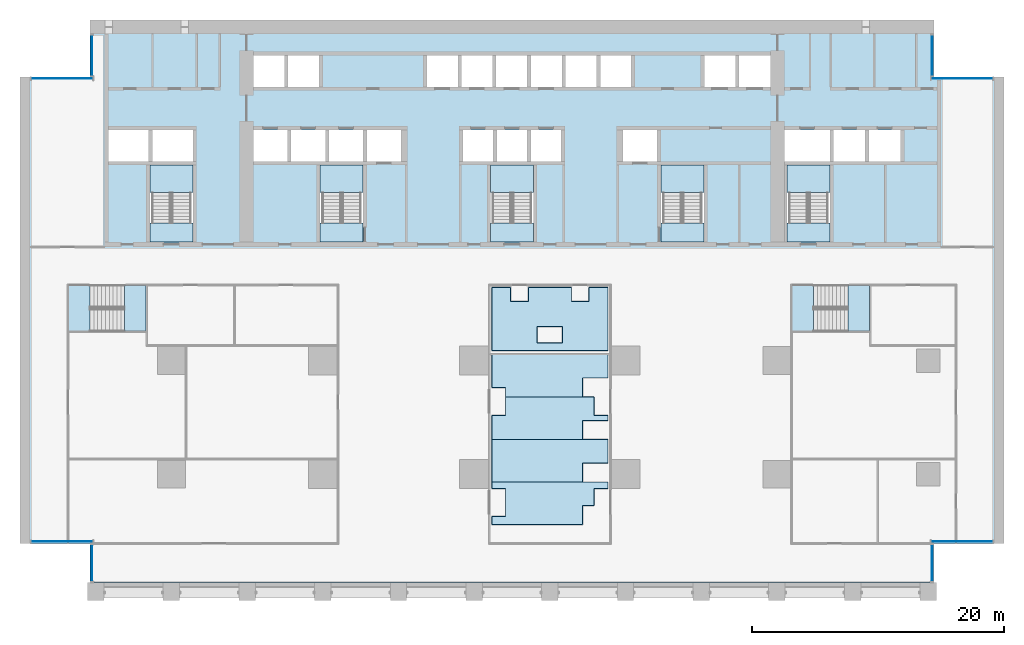
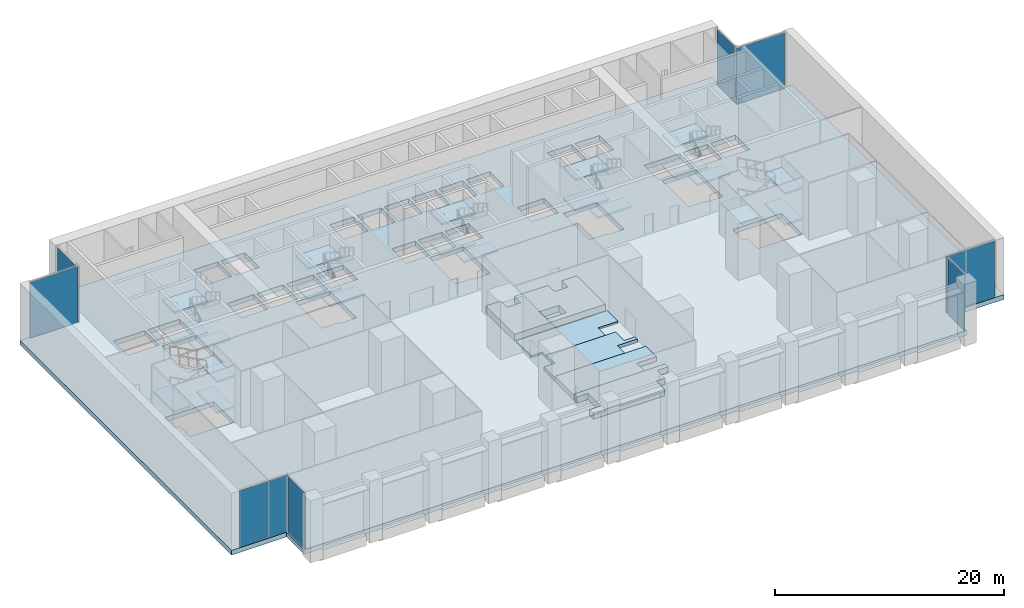
# One storey, part 6 of 18: 27 slabs, 8 plates, 15 elements without a shape of their own.
"""IFC4 building model written with IfcOpenShell, lengths in metres."""

import ifcopenshell
import ifcopenshell.guid

model = None  # the IFC model being written
_history = None  # IfcOwnerHistory: only IFC2X3 demands one
_inside = {}  # id of a spatial element -> (the spatial element, [elements in it])
_under = {}  # id of a project, library or spatial element -> (it, [spatial elements below it])
_declared = {}  # id of a project -> (the project, [libraries it declares])
_typed = {}  # id of a type object -> (the type object, [elements of that type])
_made_of = {}  # id of a material, layer set ... -> (it, [elements and type objects made of it])


def new_model(schema):
    """Start an empty IFC model of exactly this schema.

    Asked for "IFC4X3", IfcOpenShell would pick the latest addendum, in which some entities
    have other attributes; the version numbers below select the first issue.
    IFC2X3 requires an IfcOwnerHistory on every rooted entity: one is made here for all.
    """
    global model, _history
    if schema == "IFC4X3":
        model = ifcopenshell.file(schema_version=(4, 3, 0, 0))
    else:
        model = ifcopenshell.file(schema=schema)
    _inside.clear()
    _under.clear()
    _declared.clear()
    _typed.clear()
    _made_of.clear()
    _history = None
    if model.schema == "IFC2X3":
        org = make("IfcOrganization", Name="unknown")
        user = make(
            "IfcPersonAndOrganization",
            ThePerson=make("IfcPerson", FamilyName="unknown"),
            TheOrganization=org,
        )
        app = make(
            "IfcApplication",
            ApplicationDeveloper=org,
            Version="unknown",
            ApplicationFullName="unknown",
            ApplicationIdentifier="unknown",
        )
        _history = make(
            "IfcOwnerHistory",
            OwningUser=user,
            OwningApplication=app,
            ChangeAction="ADDED",
            CreationDate=0,
        )
    return model


def make(cls, **values):
    """One entity of the class cls with the attributes given. An attribute that is None is left unset."""
    return model.create_entity(
        cls, **{name: value for name, value in values.items() if value is not None}
    )


def rooted(cls, **values):
    """An entity with a GlobalId (a new one), such as an element, a storey or a relation."""
    return make(cls, GlobalId=ifcopenshell.guid.new(), OwnerHistory=_history, **values)


def si_unit(unit_type, name, prefix=None):
    """IfcSIUnit, for example si_unit("LENGTHUNIT", "METRE", prefix="MILLI")."""
    return make("IfcSIUnit", UnitType=unit_type, Prefix=prefix, Name=name)


def assignment(units):
    """IfcUnitAssignment: the units of a project."""
    return None if units is None else make("IfcUnitAssignment", Units=units)


def point(xyz):
    """IfcCartesianPoint."""
    return None if xyz is None else make("IfcCartesianPoint", Coordinates=xyz)


def direction(xyz):
    """IfcDirection."""
    return None if xyz is None else make("IfcDirection", DirectionRatios=xyz)


def frame(location, z_axis=None, x_axis=None):
    """IfcAxis2Placement3D, a coordinate frame: its origin and axes. An axis left out is left unset."""
    return make(
        "IfcAxis2Placement3D",
        Location=point(location),
        Axis=direction(z_axis),
        RefDirection=direction(x_axis),
    )


def frame_2d(location, x_axis=None):
    """IfcAxis2Placement2D, a coordinate frame in the plane: its origin and x axis."""
    return make(
        "IfcAxis2Placement2D", Location=point(location), RefDirection=direction(x_axis)
    )


def origin():
    """The frame at (0, 0, 0) with its axes left unset."""
    return frame((0.0, 0.0, 0.0))


def origin_2d():
    """The frame at (0, 0) in the plane with its x axis left unset."""
    return frame_2d((0.0, 0.0))


def place(relative_to, where):
    """IfcLocalPlacement: puts the frame where relative to a parent placement (None: the world)."""
    return make(
        "IfcLocalPlacement", PlacementRelTo=relative_to, RelativePlacement=where
    )


def context(
    kind, dimensions, precision=None, world=None, true_north=None, identifier=None
):
    """IfcGeometricRepresentationContext, for example the 3D "Model" context."""
    return make(
        "IfcGeometricRepresentationContext",
        ContextIdentifier=identifier,
        ContextType=kind,
        CoordinateSpaceDimension=dimensions,
        Precision=precision,
        WorldCoordinateSystem=world,
        TrueNorth=true_north,
    )


def subcontext(parent, identifier, kind, view, scale=None):
    """IfcGeometricRepresentationSubContext, for example "Body" below "Model"."""
    return make(
        "IfcGeometricRepresentationSubContext",
        ContextIdentifier=identifier,
        ContextType=kind,
        ParentContext=parent,
        TargetScale=scale,
        TargetView=view,
    )


def project(units=None, contexts=None):
    """IfcProject with its units and contexts."""
    return rooted(
        "IfcProject",
        Name="project",
        RepresentationContexts=contexts,
        UnitsInContext=assignment(units),
    )


def spatial(cls, under=None, at=None, **own):
    """A site, building, storey or space (cls), placed at a placement, below another one or the project."""
    s = rooted(cls, ObjectPlacement=at, **own)
    if under is not None:
        _under.setdefault(under.id(), (under, []))[1].append(s)
    return s


def polyline(points):
    """IfcPolyline through the points."""
    return make("IfcPolyline", Points=[point(p) for p in points])


def profile(cls, at=None, kind="AREA", **sizes):
    """A parametric profile (cls). Its sizes go by their IFC names, for example OverallWidth=200.0."""
    return make(cls, ProfileType=kind, Position=at, **sizes)


def rectangle(**sizes):
    """IfcRectangleProfileDef."""
    return profile("IfcRectangleProfileDef", **sizes)


def outline(outer, holes=None, kind="AREA"):
    """IfcArbitraryClosedProfileDef: a profile drawn as a closed curve; with holes, ...WithVoids."""
    if holes is None:
        return make("IfcArbitraryClosedProfileDef", ProfileType=kind, OuterCurve=outer)
    return make(
        "IfcArbitraryProfileDefWithVoids",
        ProfileType=kind,
        OuterCurve=outer,
        InnerCurves=holes,
    )


def extrude(swept, where, along, depth):
    """IfcExtrudedAreaSolid: the profile swept, set in the frame where, extruded along a direction by depth."""
    return make(
        "IfcExtrudedAreaSolid",
        SweptArea=swept,
        Position=where,
        ExtrudedDirection=direction(along),
        Depth=depth,
    )


def shape(context_of_items, identifier, shape_type, items):
    """IfcShapeRepresentation: the items that make up one representation, for example the "Body"."""
    return make(
        "IfcShapeRepresentation",
        ContextOfItems=context_of_items,
        RepresentationIdentifier=identifier,
        RepresentationType=shape_type,
        Items=items,
    )


def material(Name=None, Category=None):
    """IfcMaterial."""
    return make("IfcMaterial", Name=Name, Category=Category)


def layer(
    of_material, thickness, ventilated=None, Name=None, Category=None, Priority=None
):
    """IfcMaterialLayer: one layer of a wall or slab, of a material (None: an air gap)."""
    return make(
        "IfcMaterialLayer",
        Material=of_material,
        LayerThickness=thickness,
        IsVentilated=ventilated,
        Name=Name,
        Category=Category,
        Priority=Priority,
    )


def layer_set(layers, Name=None):
    """IfcMaterialLayerSet."""
    return make("IfcMaterialLayerSet", MaterialLayers=layers, LayerSetName=Name)


def made_of(thing, what):
    """Note that an element or type object is made of a material, layer set ...; save() writes the relation."""
    if what is not None:
        _made_of.setdefault(what.id(), (what, []))[1].append(thing)
    return thing


def type_object(cls, material=None, **own):
    """A type object (cls), such as IfcWallType, which elements share."""
    return made_of(rooted(cls, **own), material)


def element(
    cls,
    number,
    at=None,
    inside=None,
    cuts=None,
    type_object=None,
    material=None,
    context=None,
    identifier="Body",
    shape_type=None,
    held_by="IfcProductDefinitionShape",
    body=None,
    shapes=None,
    **own,
):
    """One element of the class cls, such as IfcWall. Its Tag is "e" and its number.

    at: its placement. inside: the storey or other place that contains it. cuts: it is an
    opening in that element (IfcRelVoidsElement). A single representation is given by context,
    identifier, shape_type and body (its items); several are given by shapes. held_by: the class
    of the entity that holds the representations. save() writes the other relations.
    """
    e = rooted(cls, Tag="e%d" % number, ObjectPlacement=at, **own)
    if body is not None:
        shapes = [shape(context, identifier, shape_type, body)]
    if shapes is not None:
        e.Representation = make(held_by, Representations=shapes)
    if inside is not None:
        _inside.setdefault(inside.id(), (inside, []))[1].append(e)
    if cuts is not None:
        rooted(
            "IfcRelVoidsElement", RelatingBuildingElement=cuts, RelatedOpeningElement=e
        )
    if type_object is not None:
        _typed.setdefault(type_object.id(), (type_object, []))[1].append(e)
    return made_of(e, material)


def aggregate(whole, parts):
    """IfcRelAggregates: a whole, such as a stair, and the parts it consists of."""
    return rooted("IfcRelAggregates", RelatingObject=whole, RelatedObjects=parts)


def save(model, path):
    """Write the relations noted so far, then the file.

    IfcRelAggregates (storeys below a building ...), IfcRelContainedInSpatialStructure (elements
    in a storey), IfcRelDefinesByType, IfcRelAssociatesMaterial and IfcRelDeclares: one each for
    every whole, place, type object, material and project.
    """
    for whole, parts in _under.values():
        aggregate(whole, parts)
    for where, things in _inside.values():
        rooted(
            "IfcRelContainedInSpatialStructure",
            RelatedElements=things,
            RelatingStructure=where,
        )
    for kind, things in _typed.values():
        rooted("IfcRelDefinesByType", RelatedObjects=things, RelatingType=kind)
    for what, things in _made_of.values():
        rooted("IfcRelAssociatesMaterial", RelatedObjects=things, RelatingMaterial=what)
    for by, libraries in _declared.values():
        rooted("IfcRelDeclares", RelatingContext=by, RelatedDefinitions=libraries)
    model.write(path)


model = new_model("IFC4")

# Units and contexts
model_context = context("Model", 3, precision=1e-05, world=origin(), true_north=direction((0.0, 1.0)))
body_context = subcontext(model_context, "Body", "Model", "MODEL_VIEW")
ifc_project = project(units=[si_unit("LENGTHUNIT", "METRE"), si_unit("AREAUNIT", "SQUARE_METRE"), si_unit("VOLUMEUNIT", "CUBIC_METRE"), si_unit("PLANEANGLEUNIT", "RADIAN"), si_unit("MASSUNIT", "GRAM", prefix="KILO")], contexts=[model_context])

# Site, building, storey
site_placement = place(None, origin())
site = spatial("IfcSite", under=ifc_project, at=site_placement, CompositionType="ELEMENT")
building_placement = place(site_placement, origin())
building = spatial("IfcBuilding", under=site, at=building_placement, Name="Calvaro Tower", CompositionType="ELEMENT")
storey_placement = place(building_placement, frame((0.0, 0.0, 11.300048828125)))
storey = spatial("IfcBuildingStorey", under=building, at=storey_placement, Name="L02", CompositionType="ELEMENT", Elevation=11.300048828125)

# Slab
ifc_material_1 = material(Name="Concrete C40/50", Category="concrete")
ifc_layer_1 = layer(ifc_material_1, 0.5)
ifc_layer_set_1 = layer_set([ifc_layer_1], Name="Concrete C40/50")
slab_type_1 = type_object("IfcSlabType", Name="Floor slab 500 C40/50", PredefinedType="FLOOR", material=ifc_layer_set_1)
slab_1_placement = place(storey_placement, frame((0.0, 0.0, -0.5)))
element("IfcSlab", 1, at=slab_1_placement, inside=storey, type_object=slab_type_1, Name="Floor slab", PredefinedType="FLOOR", context=body_context, shape_type="SweptSolid", body=[
    extrude(outline(polyline([(72.449951171875, 4.5), (72.449951171875, 1.39990234375), (5.550048828125, 1.39990234375), (5.550048828125, 4.5), (0.0, 4.5), (0.0, 41.5), (5.550048828125, 41.5), (5.550048828125, 46.0), (72.449951171875, 46.0), (72.449951171875, 41.5), (78.0, 41.5), (78.0, 4.5), (72.449951171875, 4.5)]), holes=[polyline([(13.699951171875, 34.5), (13.699951171875, 29.760009765625), (12.0, 29.760009765625), (12.0, 29.909912109375), (10.300048828125, 29.909912109375), (10.300048828125, 34.5), (12.0, 34.5), (13.699951171875, 34.5)]), polyline([(27.199951171875, 34.5), (27.199951171875, 29.760009765625), (25.5, 29.760009765625), (25.5, 29.909912109375), (23.800048828125, 29.909912109375), (23.800048828125, 34.5), (25.5, 34.5), (27.199951171875, 34.5)]), polyline([(40.699951171875, 34.5), (40.699951171875, 29.760009765625), (39.0, 29.760009765625), (39.0, 29.909912109375), (37.300048828125, 29.909912109375), (37.300048828125, 34.5), (39.0, 34.5), (40.699951171875, 34.5)]), polyline([(54.199951171875, 34.5), (54.199951171875, 29.760009765625), (52.5, 29.760009765625), (52.5, 29.909912109375), (50.800048828125, 29.909912109375), (50.800048828125, 34.5), (52.5, 34.5), (54.199951171875, 34.5)]), polyline([(64.199951171875, 34.5), (64.199951171875, 29.760009765625), (62.5, 29.760009765625), (62.5, 29.909912109375), (60.800048828125, 29.909912109375), (60.800048828125, 34.5), (62.5, 34.5), (64.199951171875, 34.5)]), polyline([(18.5, 34.800048828125), (21.199951171875, 34.800048828125), (21.199951171875, 37.300048828125), (18.5, 37.300048828125), (18.5, 34.800048828125)]), polyline([(21.5, 34.800048828125), (24.199951171875, 34.800048828125), (24.199951171875, 37.300048828125), (21.5, 37.300048828125), (21.5, 34.800048828125)]), polyline([(24.5, 34.800048828125), (27.199951171875, 34.800048828125), (27.199951171875, 37.300048828125), (24.5, 37.300048828125), (24.5, 34.800048828125)]), polyline([(35.10009765625, 34.800048828125), (37.5, 34.800048828125), (37.5, 37.300048828125), (35.10009765625, 37.300048828125), (35.10009765625, 34.800048828125)]), polyline([(37.800048828125, 34.800048828125), (40.199951171875, 34.800048828125), (40.199951171875, 37.300048828125), (37.800048828125, 37.300048828125), (37.800048828125, 34.800048828125)]), polyline([(40.5, 34.800048828125), (42.89990234375, 34.800048828125), (42.89990234375, 37.300048828125), (40.5, 37.300048828125), (40.5, 34.800048828125)]), polyline([(18.5, 40.699951171875), (20.949951171875, 40.699951171875), (20.949951171875, 43.199951171875), (18.5, 43.199951171875), (18.5, 40.699951171875)]), polyline([(21.25, 40.699951171875), (23.699951171875, 40.699951171875), (23.699951171875, 43.199951171875), (21.25, 43.199951171875), (21.25, 40.699951171875)]), polyline([(32.25, 40.699951171875), (34.699951171875, 40.699951171875), (34.699951171875, 43.199951171875), (32.25, 43.199951171875), (32.25, 40.699951171875)]), polyline([(35.0, 40.699951171875), (37.449951171875, 40.699951171875), (37.449951171875, 43.199951171875), (35.0, 43.199951171875), (35.0, 40.699951171875)]), polyline([(37.75, 40.699951171875), (40.199951171875, 40.699951171875), (40.199951171875, 43.199951171875), (37.75, 43.199951171875), (37.75, 40.699951171875)]), polyline([(40.5, 40.699951171875), (42.949951171875, 40.699951171875), (42.949951171875, 43.199951171875), (40.5, 43.199951171875), (40.5, 40.699951171875)]), polyline([(43.25, 40.699951171875), (45.699951171875, 40.699951171875), (45.699951171875, 43.199951171875), (43.25, 43.199951171875), (43.25, 40.699951171875)]), polyline([(46.0, 40.699951171875), (48.449951171875, 40.699951171875), (48.449951171875, 43.199951171875), (46.0, 43.199951171875), (46.0, 40.699951171875)]), polyline([(54.25, 40.699951171875), (56.699951171875, 40.699951171875), (56.699951171875, 43.199951171875), (54.25, 43.199951171875), (54.25, 40.699951171875)]), polyline([(57.0, 40.699951171875), (59.5, 40.699951171875), (59.5, 43.199951171875), (57.0, 43.199951171875), (57.0, 40.699951171875)]), polyline([(7.0, 34.800048828125), (10.199951171875, 34.800048828125), (10.199951171875, 37.300048828125), (7.0, 37.300048828125), (7.0, 34.800048828125)]), polyline([(10.5, 34.800048828125), (13.699951171875, 34.800048828125), (13.699951171875, 37.300048828125), (10.5, 37.300048828125), (10.5, 34.800048828125)]), polyline([(60.60009765625, 34.800048828125), (64.199951171875, 34.800048828125), (64.199951171875, 37.300048828125), (60.60009765625, 37.300048828125), (60.60009765625, 34.800048828125)]), polyline([(64.5, 34.800048828125), (67.0, 34.800048828125), (67.0, 37.300048828125), (64.5, 37.300048828125), (64.5, 34.800048828125)]), polyline([(67.300048828125, 34.800048828125), (69.800048828125, 34.800048828125), (69.800048828125, 37.300048828125), (67.300048828125, 37.300048828125), (67.300048828125, 34.800048828125)]), polyline([(27.5, 34.800048828125), (30.199951171875, 34.800048828125), (30.199951171875, 37.300048828125), (27.5, 37.300048828125), (27.5, 34.800048828125)]), polyline([(47.800048828125, 34.800048828125), (50.5, 34.800048828125), (50.5, 37.300048828125), (47.800048828125, 37.300048828125), (47.800048828125, 34.800048828125)]), polyline([(10.0, 24.949951171875), (5.06005859375, 24.949951171875), (5.06005859375, 23.14990234375), (5.56005859375, 23.14990234375), (5.56005859375, 21.35009765625), (10.0, 21.35009765625), (10.0, 23.14990234375), (10.0, 24.949951171875)]), polyline([(67.35009765625, 24.949951171875), (62.409912109375, 24.949951171875), (62.409912109375, 23.14990234375), (62.909912109375, 23.14990234375), (62.909912109375, 21.35009765625), (67.35009765625, 21.35009765625), (67.35009765625, 23.14990234375), (67.35009765625, 24.949951171875)])]), origin(), (0.0, 0.0, 1.0), 0.5),
])

# Curtain wall, plate
ifc_material_2 = material(Name="Anodised aluminium", Category="aluminium")
curtain_wall_type = type_object("IfcCurtainWallType", Name="Foyer curtain wall", PredefinedType="NOTDEFINED", material=ifc_material_2)
curtain_wall_1_placement = place(storey_placement, origin())
curtain_wall_1 = element("IfcCurtainWall", 2, at=curtain_wall_1_placement, inside=storey, type_object=curtain_wall_type, Name="CW6 corner curtain wall", PredefinedType="NOTDEFINED")
ifc_material_3 = material(Name="Glass", Category="glass")
ifc_layer_2 = layer(ifc_material_3, 0.048095703125)
ifc_layer_set_2 = layer_set([ifc_layer_2], Name="Glass")
plate_type = type_object("IfcPlateType", Name="Glass panel PF 48", PredefinedType="CURTAIN_PANEL", material=ifc_layer_set_2)
plate_1_placement = place(storey_placement, frame((5.699951171875, 2.949951171875, 0.0), z_axis=(0.0, 0.0, 1.0), x_axis=(0.0, 1.0, 0.0)))
plate_1 = element("IfcPlate", 3, at=plate_1_placement, type_object=plate_type, Name="CW6 glass panel 1.1", PredefinedType="CURTAIN_PANEL", context=body_context, shape_type="SweptSolid", body=[
    extrude(rectangle(XDim=2.89990234375, YDim=0.048095703125, at=origin_2d()), origin(), (0.0, 0.0, 1.0), 5.9599609375),
])
aggregate(curtain_wall_1, [plate_1])

curtain_wall_2_placement = place(storey_placement, origin())
curtain_wall_2 = element("IfcCurtainWall", 4, at=curtain_wall_2_placement, inside=storey, type_object=curtain_wall_type, Name="CW6 corner curtain wall", PredefinedType="NOTDEFINED")
plate_2_placement = place(storey_placement, frame((3.324951171875, 4.64990234375, 0.0), z_axis=(0.0, 0.0, 1.0), x_axis=(1.0, 0.0, 0.0)))
plate_2 = element("IfcPlate", 5, at=plate_2_placement, type_object=plate_type, Name="CW6 glass panel 1.1", PredefinedType="CURTAIN_PANEL", context=body_context, shape_type="SweptSolid", body=[
    extrude(rectangle(XDim=4.85009765625, YDim=0.048095703125, at=origin_2d()), origin(), (0.0, 0.0, 1.0), 5.9599609375),
])
aggregate(curtain_wall_2, [plate_2])

curtain_wall_3_placement = place(storey_placement, origin())
curtain_wall_3 = element("IfcCurtainWall", 6, at=curtain_wall_3_placement, inside=storey, type_object=curtain_wall_type, Name="CW6 corner curtain wall", PredefinedType="NOTDEFINED")
plate_3_placement = place(storey_placement, frame((5.699951171875, 43.199951171875, 0.0), z_axis=(0.0, 0.0, 1.0), x_axis=(0.0, 1.0, 0.0)))
plate_3 = element("IfcPlate", 7, at=plate_3_placement, type_object=plate_type, Name="CW6 glass panel 1.1", PredefinedType="CURTAIN_PANEL", context=body_context, shape_type="SweptSolid", body=[
    extrude(rectangle(XDim=3.199951171875, YDim=0.048095703125, at=origin_2d()), origin(), (0.0, 0.0, 1.0), 5.9599609375),
])
aggregate(curtain_wall_3, [plate_3])

curtain_wall_4_placement = place(storey_placement, origin())
curtain_wall_4 = element("IfcCurtainWall", 8, at=curtain_wall_4_placement, inside=storey, type_object=curtain_wall_type, Name="CW6 corner curtain wall", PredefinedType="NOTDEFINED")
plate_4_placement = place(storey_placement, frame((3.324951171875, 41.35009765625, 0.0), z_axis=(0.0, 0.0, 1.0), x_axis=(1.0, 0.0, 0.0)))
plate_4 = element("IfcPlate", 9, at=plate_4_placement, type_object=plate_type, Name="CW6 glass panel 1.1", PredefinedType="CURTAIN_PANEL", context=body_context, shape_type="SweptSolid", body=[
    extrude(rectangle(XDim=4.85009765625, YDim=0.048095703125, at=origin_2d()), origin(), (0.0, 0.0, 1.0), 5.9599609375),
])
aggregate(curtain_wall_4, [plate_4])

curtain_wall_5_placement = place(storey_placement, origin())
curtain_wall_5 = element("IfcCurtainWall", 10, at=curtain_wall_5_placement, inside=storey, type_object=curtain_wall_type, Name="CW6 corner curtain wall", PredefinedType="NOTDEFINED")
plate_5_placement = place(storey_placement, frame((72.300048828125, 2.949951171875, 0.0), z_axis=(0.0, 0.0, 1.0), x_axis=(0.0, 1.0, 0.0)))
plate_5 = element("IfcPlate", 11, at=plate_5_placement, type_object=plate_type, Name="CW6 glass panel 1.1", PredefinedType="CURTAIN_PANEL", context=body_context, shape_type="SweptSolid", body=[
    extrude(rectangle(XDim=2.89990234375, YDim=0.048095703125, at=origin_2d()), origin(), (0.0, 0.0, 1.0), 5.9599609375),
])
aggregate(curtain_wall_5, [plate_5])

curtain_wall_6_placement = place(storey_placement, origin())
curtain_wall_6 = element("IfcCurtainWall", 12, at=curtain_wall_6_placement, inside=storey, type_object=curtain_wall_type, Name="CW6 corner curtain wall", PredefinedType="NOTDEFINED")
plate_6_placement = place(storey_placement, frame((74.675048828125, 4.64990234375, 0.0), z_axis=(0.0, 0.0, 1.0), x_axis=(1.0, 0.0, 0.0)))
plate_6 = element("IfcPlate", 13, at=plate_6_placement, type_object=plate_type, Name="CW6 glass panel 1.1", PredefinedType="CURTAIN_PANEL", context=body_context, shape_type="SweptSolid", body=[
    extrude(rectangle(XDim=4.85009765625, YDim=0.048095703125, at=origin_2d()), origin(), (0.0, 0.0, 1.0), 5.9599609375),
])
aggregate(curtain_wall_6, [plate_6])

curtain_wall_7_placement = place(storey_placement, origin())
curtain_wall_7 = element("IfcCurtainWall", 14, at=curtain_wall_7_placement, inside=storey, type_object=curtain_wall_type, Name="CW6 corner curtain wall", PredefinedType="NOTDEFINED")
plate_7_placement = place(storey_placement, frame((72.300048828125, 43.199951171875, 0.0), z_axis=(0.0, 0.0, 1.0), x_axis=(0.0, 1.0, 0.0)))
plate_7 = element("IfcPlate", 15, at=plate_7_placement, type_object=plate_type, Name="CW6 glass panel 1.1", PredefinedType="CURTAIN_PANEL", context=body_context, shape_type="SweptSolid", body=[
    extrude(rectangle(XDim=3.199951171875, YDim=0.048095703125, at=origin_2d()), origin(), (0.0, 0.0, 1.0), 5.9599609375),
])
aggregate(curtain_wall_7, [plate_7])

curtain_wall_8_placement = place(storey_placement, origin())
curtain_wall_8 = element("IfcCurtainWall", 16, at=curtain_wall_8_placement, inside=storey, type_object=curtain_wall_type, Name="CW6 corner curtain wall", PredefinedType="NOTDEFINED")
plate_8_placement = place(storey_placement, frame((74.675048828125, 41.35009765625, 0.0), z_axis=(0.0, 0.0, 1.0), x_axis=(1.0, 0.0, 0.0)))
plate_8 = element("IfcPlate", 17, at=plate_8_placement, type_object=plate_type, Name="CW6 glass panel 1.1", PredefinedType="CURTAIN_PANEL", context=body_context, shape_type="SweptSolid", body=[
    extrude(rectangle(XDim=4.85009765625, YDim=0.048095703125, at=origin_2d()), origin(), (0.0, 0.0, 1.0), 5.9599609375),
])
aggregate(curtain_wall_8, [plate_8])

# Slabs
ifc_material_4 = material(Name="Concrete C32/40", Category="concrete")
ifc_layer_3 = layer(ifc_material_4, 0.300048828125)
ifc_layer_set_3 = layer_set([ifc_layer_3], Name="Concrete C32/40")
slab_type_2 = type_object("IfcSlabType", Name="Raised floor slab", PredefinedType="FLOOR", material=ifc_layer_set_3)
slab_2_placement = place(storey_placement, origin())
element("IfcSlab", 18, at=slab_2_placement, inside=storey, type_object=slab_type_2, Name="Auditorium seating tier 1", PredefinedType="FLOOR", context=body_context, shape_type="SweptSolid", body=[
    extrude(outline(polyline([(37.39990234375, 6.64990234375), (38.5, 6.64990234375), (38.5, 8.85009765625), (37.39990234375, 8.85009765625), (37.39990234375, 9.375), (46.60009765625, 9.375), (46.60009765625, 8.85009765625), (45.5, 8.85009765625), (45.5, 7.5), (44.60009765625, 7.5), (44.60009765625, 6.0), (37.39990234375, 6.0), (37.39990234375, 6.64990234375)])), origin(), (0.0, 0.0, 1.0), 0.64990234375),
])
slab_3_placement = place(storey_placement, origin())
element("IfcSlab", 19, at=slab_3_placement, inside=storey, type_object=slab_type_2, Name="Auditorium seating tier 2", PredefinedType="FLOOR", context=body_context, shape_type="SweptSolid", body=[
    extrude(outline(polyline([(37.39990234375, 12.75), (46.60009765625, 12.75), (46.60009765625, 10.875), (44.60009765625, 10.875), (44.60009765625, 9.375), (37.39990234375, 9.375), (37.39990234375, 12.75)])), origin(), (0.0, 0.0, 1.0), 0.5),
])
slab_4_placement = place(storey_placement, origin())
element("IfcSlab", 20, at=slab_4_placement, inside=storey, type_object=slab_type_2, Name="Auditorium seating tier 3", PredefinedType="FLOOR", context=body_context, shape_type="SweptSolid", body=[
    extrude(outline(polyline([(37.39990234375, 14.64990234375), (38.5, 14.64990234375), (38.5, 16.125), (45.5, 16.125), (45.5, 14.64990234375), (46.60009765625, 14.64990234375), (46.60009765625, 14.25), (44.60009765625, 14.25), (44.60009765625, 12.75), (37.39990234375, 12.75), (37.39990234375, 14.64990234375)])), origin(), (0.0, 0.0, 1.0), 0.349853515625),
])
slab_5_placement = place(storey_placement, origin())
element("IfcSlab", 21, at=slab_5_placement, inside=storey, type_object=slab_type_2, Name="Auditorium seating tier 4", PredefinedType="FLOOR", context=body_context, shape_type="SweptSolid", body=[
    extrude(outline(polyline([(37.39990234375, 19.5), (46.60009765625, 19.5), (46.60009765625, 17.625), (44.60009765625, 17.625), (44.60009765625, 16.125), (38.5, 16.125), (38.5, 16.85009765625), (37.39990234375, 16.85009765625), (37.39990234375, 19.5)])), origin(), (0.0, 0.0, 1.0), 0.199951171875),
])
slab_6_placement = place(storey_placement, origin())
element("IfcSlab", 22, at=slab_6_placement, inside=storey, type_object=slab_type_2, Name="Stage deck", PredefinedType="FLOOR", context=body_context, shape_type="SweptSolid", body=[
    extrude(outline(polyline([(37.39990234375, 24.800048828125), (38.89990234375, 24.800048828125), (38.89990234375, 23.699951171875), (40.300048828125, 23.699951171875), (40.300048828125, 24.800048828125), (43.699951171875, 24.800048828125), (43.699951171875, 23.699951171875), (45.10009765625, 23.699951171875), (45.10009765625, 24.800048828125), (46.60009765625, 24.800048828125), (46.60009765625, 19.800048828125), (37.39990234375, 19.800048828125), (37.39990234375, 24.800048828125)]), holes=[polyline([(41.0, 21.699951171875), (41.0, 20.39990234375), (43.0, 20.39990234375), (43.0, 21.699951171875), (41.0, 21.699951171875)])]), origin(), (0.0, 0.0, 1.0), 0.699951171875),
])

# Stair, slabs
ifc_material_5 = material(Name="Concrete C40/50", Category="concrete")
stair_type_1 = type_object("IfcStairType", Name="Exit stair 1400 4 flights", PredefinedType="DOUBLE_RETURN_STAIR", material=ifc_material_5)
stair_1_placement = place(storey_placement, origin())
stair_1 = element("IfcStair", 23, at=stair_1_placement, inside=storey, type_object=stair_type_1, Name="Exit stair S1", PredefinedType="DOUBLE_RETURN_STAIR")
ifc_material_6 = material(Name="Concrete C40/50", Category="concrete")
ifc_layer_4 = layer(ifc_material_6, 0.199951171875)
ifc_layer_set_4 = layer_set([ifc_layer_4], Name="Concrete C40/50")
slab_type_3 = type_object("IfcSlabType", Name="Stair landing", PredefinedType="LANDING", material=ifc_layer_set_4)
slab_7_placement = place(storey_placement, frame((0.0, 0.0, 1.449951171875)))
slab_7 = element("IfcSlab", 24, at=slab_7_placement, type_object=slab_type_3, Name="Exit stair 1, landing 1", PredefinedType="LANDING", context=body_context, shape_type="SweptSolid", body=[
    extrude(outline(polyline([(11.89990234375, 32.320068359375), (10.5, 32.320068359375), (10.5, 32.330078125), (10.300048828125, 32.330078125), (10.300048828125, 34.5), (10.5, 34.5), (11.89990234375, 34.5), (12.10009765625, 34.5), (13.5, 34.5), (13.699951171875, 34.5), (13.699951171875, 32.330078125), (13.5, 32.330078125), (13.5, 32.320068359375), (12.10009765625, 32.320068359375), (12.10009765625, 32.330078125), (11.89990234375, 32.330078125), (11.89990234375, 32.320068359375)])), origin(), (0.0, 0.0, 1.0), 0.199951171875),
])
slab_8_placement = place(storey_placement, frame((0.0, 0.0, 3.099853515625)))
slab_8 = element("IfcSlab", 25, at=slab_8_placement, type_object=slab_type_3, Name="Exit stair 1, landing 2", PredefinedType="LANDING", context=body_context, shape_type="SweptSolid", body=[
    extrude(outline(polyline([(13.699951171875, 29.909912109375), (13.699951171875, 28.39990234375), (10.300048828125, 28.39990234375), (10.300048828125, 29.909912109375), (10.5, 29.909912109375), (11.89990234375, 29.909912109375), (13.699951171875, 29.909912109375)])), origin(), (0.0, 0.0, 1.0), 0.2001953125),
])
slab_9_placement = place(storey_placement, frame((0.0, 0.0, 4.75)))
slab_9 = element("IfcSlab", 26, at=slab_9_placement, type_object=slab_type_3, Name="Exit stair 1, landing 3", PredefinedType="LANDING", context=body_context, shape_type="SweptSolid", body=[
    extrude(outline(polyline([(11.89990234375, 32.320068359375), (10.5, 32.320068359375), (10.5, 32.330078125), (10.300048828125, 32.330078125), (10.300048828125, 34.5), (10.5, 34.5), (11.89990234375, 34.5), (12.10009765625, 34.5), (13.5, 34.5), (13.699951171875, 34.5), (13.699951171875, 32.330078125), (13.5, 32.330078125), (13.5, 32.320068359375), (12.10009765625, 32.320068359375), (12.10009765625, 32.330078125), (11.89990234375, 32.330078125), (11.89990234375, 32.320068359375)])), origin(), (0.0, 0.0, 1.0), 0.199951171875),
])
aggregate(stair_1, [slab_7, slab_8, slab_9])

stair_2_placement = place(storey_placement, origin())
stair_2 = element("IfcStair", 27, at=stair_2_placement, inside=storey, type_object=stair_type_1, Name="Exit stair S2", PredefinedType="DOUBLE_RETURN_STAIR")
slab_10_placement = place(storey_placement, frame((0.0, 0.0, 1.449951171875)))
slab_10 = element("IfcSlab", 28, at=slab_10_placement, type_object=slab_type_3, Name="Exit stair 2, landing 1", PredefinedType="LANDING", context=body_context, shape_type="SweptSolid", body=[
    extrude(outline(polyline([(25.39990234375, 32.320068359375), (24.0, 32.320068359375), (24.0, 32.330078125), (23.800048828125, 32.330078125), (23.800048828125, 34.5), (24.0, 34.5), (25.39990234375, 34.5), (25.60009765625, 34.5), (27.0, 34.5), (27.199951171875, 34.5), (27.199951171875, 32.330078125), (27.0, 32.330078125), (27.0, 32.320068359375), (25.60009765625, 32.320068359375), (25.60009765625, 32.330078125), (25.39990234375, 32.330078125), (25.39990234375, 32.320068359375)])), origin(), (0.0, 0.0, 1.0), 0.199951171875),
])
slab_11_placement = place(storey_placement, frame((0.0, 0.0, 3.099853515625)))
slab_11 = element("IfcSlab", 29, at=slab_11_placement, type_object=slab_type_3, Name="Exit stair 2, landing 2", PredefinedType="LANDING", context=body_context, shape_type="SweptSolid", body=[
    extrude(outline(polyline([(27.199951171875, 29.909912109375), (27.199951171875, 28.39990234375), (23.800048828125, 28.39990234375), (23.800048828125, 29.909912109375), (24.0, 29.909912109375), (25.39990234375, 29.909912109375), (27.199951171875, 29.909912109375)])), origin(), (0.0, 0.0, 1.0), 0.2001953125),
])
slab_12_placement = place(storey_placement, frame((0.0, 0.0, 4.75)))
slab_12 = element("IfcSlab", 30, at=slab_12_placement, type_object=slab_type_3, Name="Exit stair 2, landing 3", PredefinedType="LANDING", context=body_context, shape_type="SweptSolid", body=[
    extrude(outline(polyline([(25.39990234375, 32.320068359375), (24.0, 32.320068359375), (24.0, 32.330078125), (23.800048828125, 32.330078125), (23.800048828125, 34.5), (24.0, 34.5), (25.39990234375, 34.5), (25.60009765625, 34.5), (27.0, 34.5), (27.199951171875, 34.5), (27.199951171875, 32.330078125), (27.0, 32.330078125), (27.0, 32.320068359375), (25.60009765625, 32.320068359375), (25.60009765625, 32.330078125), (25.39990234375, 32.330078125), (25.39990234375, 32.320068359375)])), origin(), (0.0, 0.0, 1.0), 0.199951171875),
])
aggregate(stair_2, [slab_10, slab_11, slab_12])

stair_3_placement = place(storey_placement, origin())
stair_3 = element("IfcStair", 31, at=stair_3_placement, inside=storey, type_object=stair_type_1, Name="Exit stair S3", PredefinedType="DOUBLE_RETURN_STAIR")
slab_13_placement = place(storey_placement, frame((0.0, 0.0, 1.449951171875)))
slab_13 = element("IfcSlab", 32, at=slab_13_placement, type_object=slab_type_3, Name="Exit stair 3, landing 1", PredefinedType="LANDING", context=body_context, shape_type="SweptSolid", body=[
    extrude(outline(polyline([(38.89990234375, 32.320068359375), (37.5, 32.320068359375), (37.5, 32.330078125), (37.300048828125, 32.330078125), (37.300048828125, 34.5), (37.5, 34.5), (38.89990234375, 34.5), (39.10009765625, 34.5), (40.5, 34.5), (40.699951171875, 34.5), (40.699951171875, 32.330078125), (40.5, 32.330078125), (40.5, 32.320068359375), (39.10009765625, 32.320068359375), (39.10009765625, 32.330078125), (38.89990234375, 32.330078125), (38.89990234375, 32.320068359375)])), origin(), (0.0, 0.0, 1.0), 0.199951171875),
])
slab_14_placement = place(storey_placement, frame((0.0, 0.0, 3.099853515625)))
slab_14 = element("IfcSlab", 33, at=slab_14_placement, type_object=slab_type_3, Name="Exit stair 3, landing 2", PredefinedType="LANDING", context=body_context, shape_type="SweptSolid", body=[
    extrude(outline(polyline([(40.699951171875, 29.909912109375), (40.699951171875, 28.39990234375), (37.300048828125, 28.39990234375), (37.300048828125, 29.909912109375), (37.5, 29.909912109375), (38.89990234375, 29.909912109375), (40.699951171875, 29.909912109375)])), origin(), (0.0, 0.0, 1.0), 0.2001953125),
])
slab_15_placement = place(storey_placement, frame((0.0, 0.0, 4.75)))
slab_15 = element("IfcSlab", 34, at=slab_15_placement, type_object=slab_type_3, Name="Exit stair 3, landing 3", PredefinedType="LANDING", context=body_context, shape_type="SweptSolid", body=[
    extrude(outline(polyline([(38.89990234375, 32.320068359375), (37.5, 32.320068359375), (37.5, 32.330078125), (37.300048828125, 32.330078125), (37.300048828125, 34.5), (37.5, 34.5), (38.89990234375, 34.5), (39.10009765625, 34.5), (40.5, 34.5), (40.699951171875, 34.5), (40.699951171875, 32.330078125), (40.5, 32.330078125), (40.5, 32.320068359375), (39.10009765625, 32.320068359375), (39.10009765625, 32.330078125), (38.89990234375, 32.330078125), (38.89990234375, 32.320068359375)])), origin(), (0.0, 0.0, 1.0), 0.199951171875),
])
aggregate(stair_3, [slab_13, slab_14, slab_15])

stair_4_placement = place(storey_placement, origin())
stair_4 = element("IfcStair", 35, at=stair_4_placement, inside=storey, type_object=stair_type_1, Name="Exit stair S4", PredefinedType="DOUBLE_RETURN_STAIR")
slab_16_placement = place(storey_placement, frame((0.0, 0.0, 1.449951171875)))
slab_16 = element("IfcSlab", 36, at=slab_16_placement, type_object=slab_type_3, Name="Exit stair 4, landing 1", PredefinedType="LANDING", context=body_context, shape_type="SweptSolid", body=[
    extrude(outline(polyline([(52.39990234375, 32.320068359375), (51.0, 32.320068359375), (51.0, 32.330078125), (50.800048828125, 32.330078125), (50.800048828125, 34.5), (51.0, 34.5), (52.39990234375, 34.5), (52.60009765625, 34.5), (54.0, 34.5), (54.199951171875, 34.5), (54.199951171875, 32.330078125), (54.0, 32.330078125), (54.0, 32.320068359375), (52.60009765625, 32.320068359375), (52.60009765625, 32.330078125), (52.39990234375, 32.330078125), (52.39990234375, 32.320068359375)])), origin(), (0.0, 0.0, 1.0), 0.199951171875),
])
slab_17_placement = place(storey_placement, frame((0.0, 0.0, 3.099853515625)))
slab_17 = element("IfcSlab", 37, at=slab_17_placement, type_object=slab_type_3, Name="Exit stair 4, landing 2", PredefinedType="LANDING", context=body_context, shape_type="SweptSolid", body=[
    extrude(outline(polyline([(54.199951171875, 29.909912109375), (54.199951171875, 28.39990234375), (50.800048828125, 28.39990234375), (50.800048828125, 29.909912109375), (51.0, 29.909912109375), (52.39990234375, 29.909912109375), (54.199951171875, 29.909912109375)])), origin(), (0.0, 0.0, 1.0), 0.2001953125),
])
slab_18_placement = place(storey_placement, frame((0.0, 0.0, 4.75)))
slab_18 = element("IfcSlab", 38, at=slab_18_placement, type_object=slab_type_3, Name="Exit stair 4, landing 3", PredefinedType="LANDING", context=body_context, shape_type="SweptSolid", body=[
    extrude(outline(polyline([(52.39990234375, 32.320068359375), (51.0, 32.320068359375), (51.0, 32.330078125), (50.800048828125, 32.330078125), (50.800048828125, 34.5), (51.0, 34.5), (52.39990234375, 34.5), (52.60009765625, 34.5), (54.0, 34.5), (54.199951171875, 34.5), (54.199951171875, 32.330078125), (54.0, 32.330078125), (54.0, 32.320068359375), (52.60009765625, 32.320068359375), (52.60009765625, 32.330078125), (52.39990234375, 32.330078125), (52.39990234375, 32.320068359375)])), origin(), (0.0, 0.0, 1.0), 0.199951171875),
])
aggregate(stair_4, [slab_16, slab_17, slab_18])

stair_5_placement = place(storey_placement, origin())
stair_5 = element("IfcStair", 39, at=stair_5_placement, inside=storey, type_object=stair_type_1, Name="Exit stair S5", PredefinedType="DOUBLE_RETURN_STAIR")
slab_19_placement = place(storey_placement, frame((0.0, 0.0, 1.449951171875)))
slab_19 = element("IfcSlab", 40, at=slab_19_placement, type_object=slab_type_3, Name="Exit stair 5, landing 1", PredefinedType="LANDING", context=body_context, shape_type="SweptSolid", body=[
    extrude(outline(polyline([(62.39990234375, 32.320068359375), (61.0, 32.320068359375), (61.0, 32.330078125), (60.800048828125, 32.330078125), (60.800048828125, 34.5), (61.0, 34.5), (62.39990234375, 34.5), (62.60009765625, 34.5), (64.0, 34.5), (64.199951171875, 34.5), (64.199951171875, 32.330078125), (64.0, 32.330078125), (64.0, 32.320068359375), (62.60009765625, 32.320068359375), (62.60009765625, 32.330078125), (62.39990234375, 32.330078125), (62.39990234375, 32.320068359375)])), origin(), (0.0, 0.0, 1.0), 0.199951171875),
])
slab_20_placement = place(storey_placement, frame((0.0, 0.0, 3.099853515625)))
slab_20 = element("IfcSlab", 41, at=slab_20_placement, type_object=slab_type_3, Name="Exit stair 5, landing 2", PredefinedType="LANDING", context=body_context, shape_type="SweptSolid", body=[
    extrude(outline(polyline([(64.199951171875, 29.909912109375), (64.199951171875, 28.39990234375), (60.800048828125, 28.39990234375), (60.800048828125, 29.909912109375), (61.0, 29.909912109375), (62.39990234375, 29.909912109375), (64.199951171875, 29.909912109375)])), origin(), (0.0, 0.0, 1.0), 0.2001953125),
])
slab_21_placement = place(storey_placement, frame((0.0, 0.0, 4.75)))
slab_21 = element("IfcSlab", 42, at=slab_21_placement, type_object=slab_type_3, Name="Exit stair 5, landing 3", PredefinedType="LANDING", context=body_context, shape_type="SweptSolid", body=[
    extrude(outline(polyline([(62.39990234375, 32.320068359375), (61.0, 32.320068359375), (61.0, 32.330078125), (60.800048828125, 32.330078125), (60.800048828125, 34.5), (61.0, 34.5), (62.39990234375, 34.5), (62.60009765625, 34.5), (64.0, 34.5), (64.199951171875, 34.5), (64.199951171875, 32.330078125), (64.0, 32.330078125), (64.0, 32.320068359375), (62.60009765625, 32.320068359375), (62.60009765625, 32.330078125), (62.39990234375, 32.330078125), (62.39990234375, 32.320068359375)])), origin(), (0.0, 0.0, 1.0), 0.199951171875),
])
aggregate(stair_5, [slab_19, slab_20, slab_21])

ifc_material_7 = material(Name="Concrete C40/50", Category="concrete")
stair_type_2 = type_object("IfcStairType", Name="Exit stair 1700 4 flights", PredefinedType="DOUBLE_RETURN_STAIR", material=ifc_material_7)
stair_6_placement = place(storey_placement, origin())
stair_6 = element("IfcStair", 43, at=stair_6_placement, inside=storey, type_object=stair_type_2, Name="Exit stair 6", PredefinedType="DOUBLE_RETURN_STAIR")
slab_22_placement = place(storey_placement, frame((0.0, 0.0, 1.449951171875)))
slab_22 = element("IfcSlab", 44, at=slab_22_placement, type_object=slab_type_3, Name="Exit stair 6, landing 1", PredefinedType="LANDING", context=body_context, shape_type="SweptSolid", body=[
    extrude(outline(polyline([(8.294921875, 23.050048828125), (8.294921875, 23.25), (8.284912109375, 23.25), (8.284912109375, 24.949951171875), (10.0, 24.949951171875), (10.0, 24.949951171875), (10.0, 23.25), (10.0, 23.050048828125), (10.0, 21.35009765625), (10.0, 21.35009765625), (8.284912109375, 21.35009765625), (8.284912109375, 23.050048828125), (8.294921875, 23.050048828125)])), origin(), (0.0, 0.0, 1.0), 0.199951171875),
])
slab_23_placement = place(storey_placement, frame((0.0, 0.0, 3.099853515625)))
slab_23 = element("IfcSlab", 45, at=slab_23_placement, type_object=slab_type_3, Name="Exit stair 6, landing 2", PredefinedType="LANDING", context=body_context, shape_type="SweptSolid", body=[
    extrude(outline(polyline([(5.56005859375, 23.050048828125), (5.56005859375, 21.35009765625), (5.56005859375, 21.35009765625), (5.550048828125, 21.35009765625), (5.550048828125, 21.35009765625), (3.85009765625, 21.35009765625), (3.85009765625, 24.949951171875), (5.56005859375, 24.949951171875), (5.56005859375, 23.050048828125)])), origin(), (0.0, 0.0, 1.0), 0.2001953125),
])
slab_24_placement = place(storey_placement, frame((0.0, 0.0, 4.75)))
slab_24 = element("IfcSlab", 46, at=slab_24_placement, type_object=slab_type_3, Name="Exit stair 6, landing 3", PredefinedType="LANDING", context=body_context, shape_type="SweptSolid", body=[
    extrude(outline(polyline([(8.294921875, 23.050048828125), (8.294921875, 23.25), (8.284912109375, 23.25), (8.284912109375, 24.949951171875), (10.0, 24.949951171875), (10.0, 24.949951171875), (10.0, 23.25), (10.0, 23.050048828125), (10.0, 21.35009765625), (10.0, 21.35009765625), (8.284912109375, 21.35009765625), (8.284912109375, 23.050048828125), (8.294921875, 23.050048828125)])), origin(), (0.0, 0.0, 1.0), 0.199951171875),
])
aggregate(stair_6, [slab_22, slab_23, slab_24])

stair_7_placement = place(storey_placement, origin())
stair_7 = element("IfcStair", 47, at=stair_7_placement, inside=storey, type_object=stair_type_2, Name="Exit stair 7", PredefinedType="DOUBLE_RETURN_STAIR")
slab_25_placement = place(storey_placement, frame((0.0, 0.0, 1.449951171875)))
slab_25 = element("IfcSlab", 48, at=slab_25_placement, type_object=slab_type_3, Name="Exit stair 7, landing 1", PredefinedType="LANDING", context=body_context, shape_type="SweptSolid", body=[
    extrude(outline(polyline([(65.64501953125, 23.050048828125), (65.64501953125, 23.25), (65.635009765625, 23.25), (65.635009765625, 24.949951171875), (67.35009765625, 24.949951171875), (67.35009765625, 24.949951171875), (67.35009765625, 23.25), (67.35009765625, 23.050048828125), (67.35009765625, 21.35009765625), (67.35009765625, 21.35009765625), (65.635009765625, 21.35009765625), (65.635009765625, 23.050048828125), (65.64501953125, 23.050048828125)])), origin(), (0.0, 0.0, 1.0), 0.199951171875),
])
slab_26_placement = place(storey_placement, frame((0.0, 0.0, 3.099853515625)))
slab_26 = element("IfcSlab", 49, at=slab_26_placement, type_object=slab_type_3, Name="Exit stair 7, landing 2", PredefinedType="LANDING", context=body_context, shape_type="SweptSolid", body=[
    extrude(outline(polyline([(62.909912109375, 23.050048828125), (62.909912109375, 21.35009765625), (62.909912109375, 21.35009765625), (62.89990234375, 21.35009765625), (62.89990234375, 21.35009765625), (61.199951171875, 21.35009765625), (61.199951171875, 24.949951171875), (62.909912109375, 24.949951171875), (62.909912109375, 23.050048828125)])), origin(), (0.0, 0.0, 1.0), 0.2001953125),
])
slab_27_placement = place(storey_placement, frame((0.0, 0.0, 4.75)))
slab_27 = element("IfcSlab", 50, at=slab_27_placement, type_object=slab_type_3, Name="Exit stair 7, landing 3", PredefinedType="LANDING", context=body_context, shape_type="SweptSolid", body=[
    extrude(outline(polyline([(65.64501953125, 23.050048828125), (65.64501953125, 23.25), (65.635009765625, 23.25), (65.635009765625, 24.949951171875), (67.35009765625, 24.949951171875), (67.35009765625, 24.949951171875), (67.35009765625, 23.25), (67.35009765625, 23.050048828125), (67.35009765625, 21.35009765625), (67.35009765625, 21.35009765625), (65.635009765625, 21.35009765625), (65.635009765625, 23.050048828125), (65.64501953125, 23.050048828125)])), origin(), (0.0, 0.0, 1.0), 0.199951171875),
])
aggregate(stair_7, [slab_25, slab_26, slab_27])

save(model, "model.ifc")
